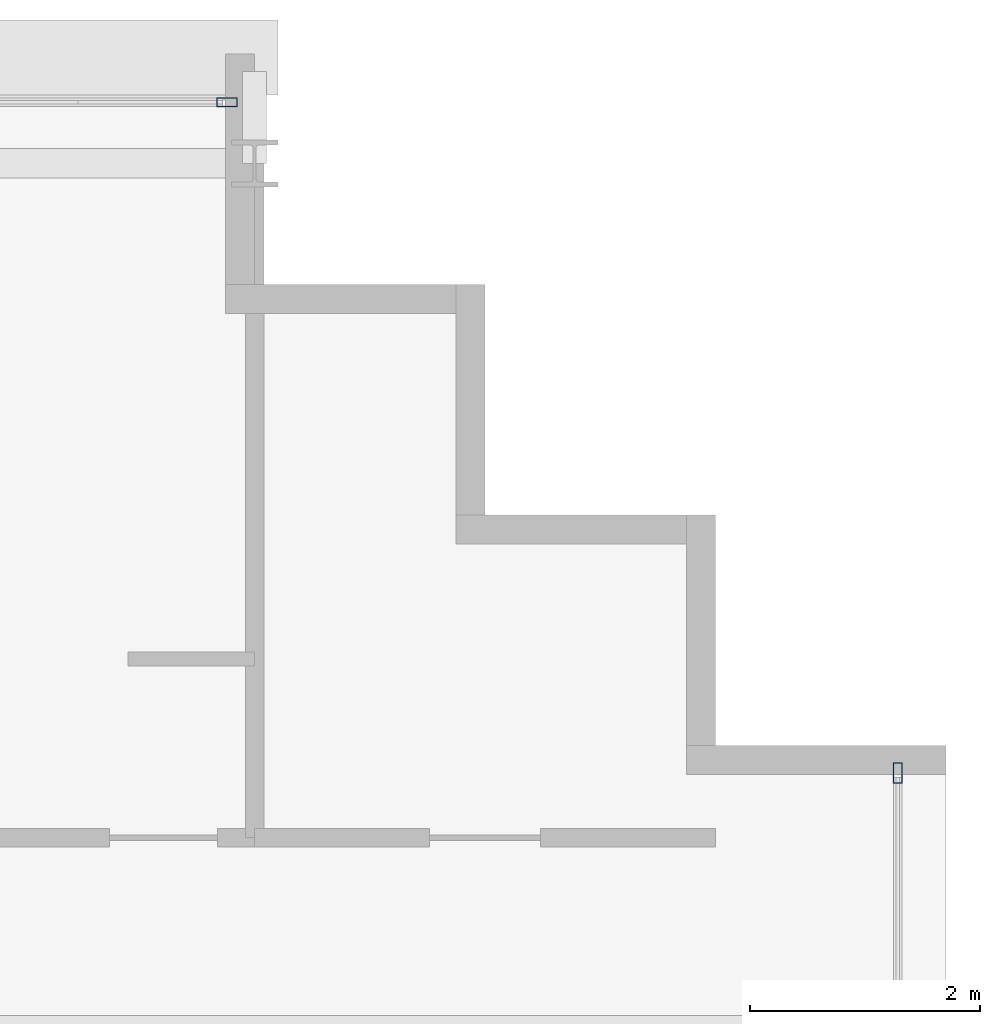
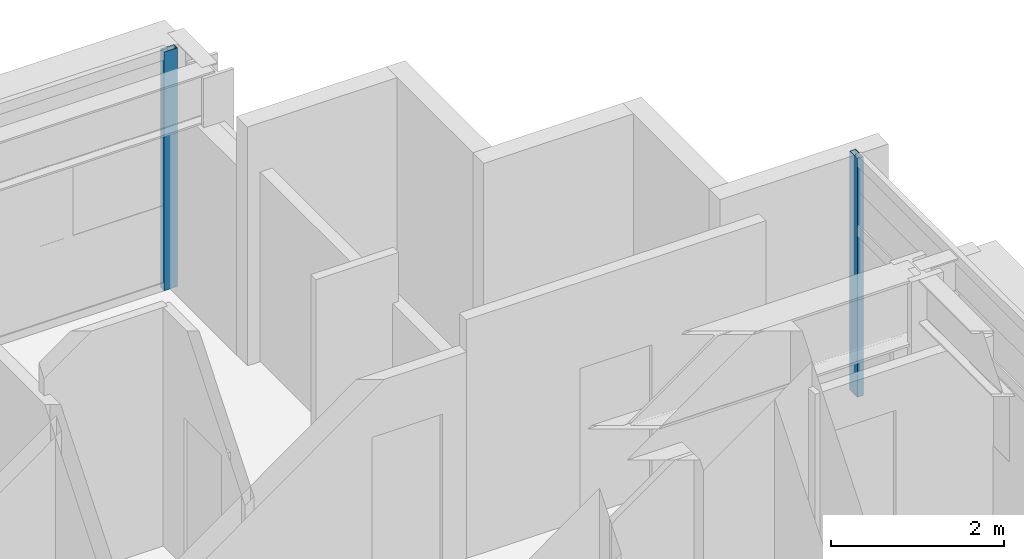
# One storey, part 19 of 32: 2 members, 2 elements without a shape of their own.
"""IFC4 building model written with IfcOpenShell, lengths in metres."""

from ifc_helpers import new_model, si_unit, direction, frame, origin, origin_2d, place, context, subcontext, project, spatial, hollow_rectangle, extrude, source, transform, mapped, material, layer, layer_set, material_profile, profile_set, type_object, element, aggregate, save


model = new_model("IFC4")

# Units and contexts
model_context = context("Model", 3, precision=1e-05, world=origin(), true_north=direction((0.0, 1.0)))
body_context = subcontext(model_context, "Body", "Model", "MODEL_VIEW")
ifc_project = project(units=[si_unit("LENGTHUNIT", "METRE"), si_unit("AREAUNIT", "SQUARE_METRE"), si_unit("VOLUMEUNIT", "CUBIC_METRE"), si_unit("PLANEANGLEUNIT", "RADIAN"), si_unit("MASSUNIT", "GRAM", prefix="KILO")], contexts=[model_context])

# Site, building, storey
site_placement = place(None, origin())
site = spatial("IfcSite", under=ifc_project, at=site_placement, CompositionType="ELEMENT")
building_placement = place(site_placement, origin())
building = spatial("IfcBuilding", under=site, at=building_placement, Name="Ocotamira Hotel", CompositionType="ELEMENT")
storey_placement = place(building_placement, frame((0.0, 0.0, 166.800048828125)))
storey = spatial("IfcBuildingStorey", under=building, at=storey_placement, Name="L41", CompositionType="ELEMENT", Elevation=166.800048828125)

# Curtain wall, member
ifc_material_1 = material(Name="Anodised pale-metal aluminium and solar glass", Category="aluminium")
ifc_layer = layer(ifc_material_1, 0.199951171875)
ifc_layer_set = layer_set([ifc_layer], Name="Anodised pale-metal aluminium and solar glass")
curtain_wall_type = type_object("IfcCurtainWallType", Name="CW-SYS4-Z3", PredefinedType="NOTDEFINED", material=ifc_layer_set)
curtain_wall_1_placement = place(storey_placement, origin())
curtain_wall_1 = element("IfcCurtainWall", 1, at=curtain_wall_1_placement, inside=storey, type_object=curtain_wall_type, Name="L41 Curtain Wall CW-4 CW-L41-N", PredefinedType="NOTDEFINED")
ifc_material_2 = material(Name="Anodised pale-metal aluminium 6063-T6", Category="aluminium")
ifc_material_profile = material_profile(ifc_material_2, hollow_rectangle(XDim=0.080078125, YDim=0.179931640625, WallThickness=0.006103515625, at=origin_2d()), Name="HSS180X80X6")
ifc_profile_set = profile_set([ifc_material_profile], Name="Anodised pale-metal aluminium 6063-T6")
member_type = type_object("IfcMemberType", Name="CWM-180X75", PredefinedType="MULLION", material=ifc_profile_set)
shared_shape = source(origin(), body_context, "Body", "SweptSolid", [
    extrude(hollow_rectangle(XDim=0.080078125, YDim=0.179931640625, WallThickness=0.006103515625, at=origin_2d()), origin(), (0.0, 0.0, 1.0), 3.369873046875),
])
member_1_placement = place(storey_placement, frame((49.760009765625, 45.580078125, 0.0), z_axis=(0.0, 0.0, 1.0), x_axis=(0.0, 1.0, 0.0)))
member_1 = element("IfcMember", 2, at=member_1_placement, type_object=member_type, Name="CW-4 mullion 10", PredefinedType="MULLION", context=body_context, shape_type="MappedRepresentation", body=[
    mapped(shared_shape, transform((0.0, 0.0, 0.0), scale=1.0)),
])
aggregate(curtain_wall_1, [member_1])

curtain_wall_2_placement = place(storey_placement, origin())
curtain_wall_2 = element("IfcCurtainWall", 3, at=curtain_wall_2_placement, inside=storey, type_object=curtain_wall_type, Name="L41 Curtain Wall CW-4 CW-L41-E", PredefinedType="NOTDEFINED")
member_2_placement = place(storey_placement, frame((55.580078125, 39.760009765625, 0.0), z_axis=(0.0, 0.0, 1.0), x_axis=(-1.0, 0.0, 0.0)))
member_2 = element("IfcMember", 4, at=member_2_placement, type_object=member_type, Name="CW-4 mullion 6", PredefinedType="MULLION", context=body_context, shape_type="MappedRepresentation", body=[
    mapped(shared_shape, transform((0.0, 0.0, 0.0), scale=1.0)),
])
aggregate(curtain_wall_2, [member_2])

save(model, "model.ifc")
